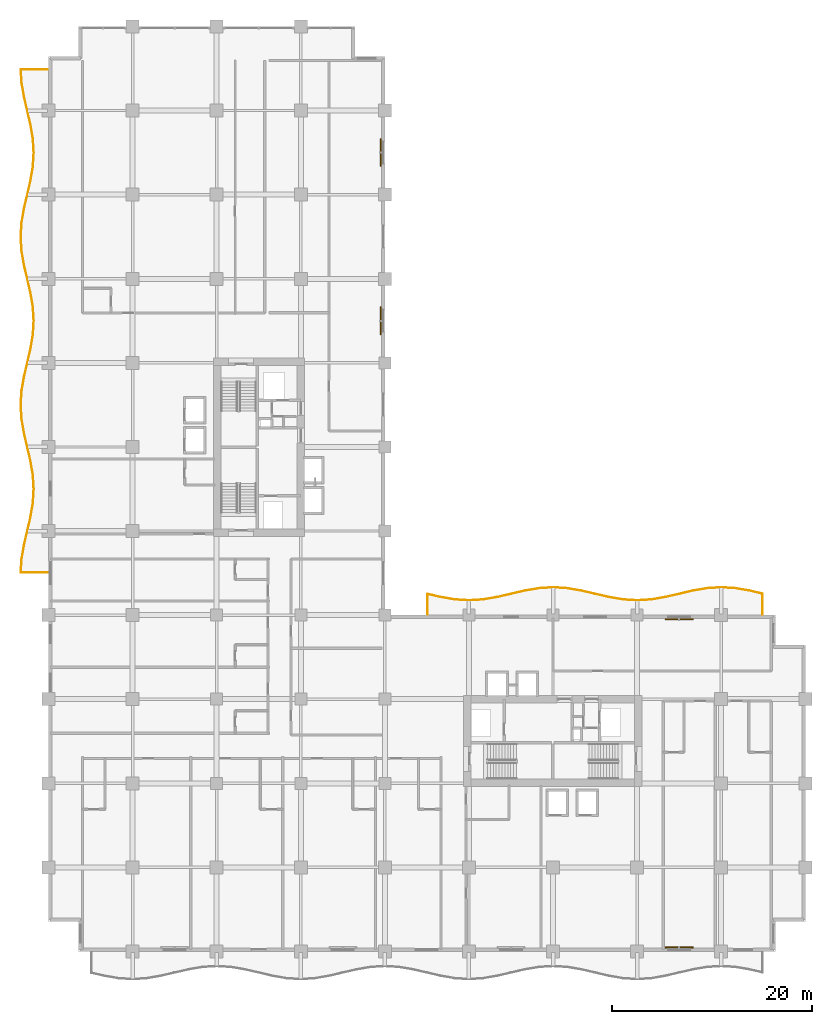
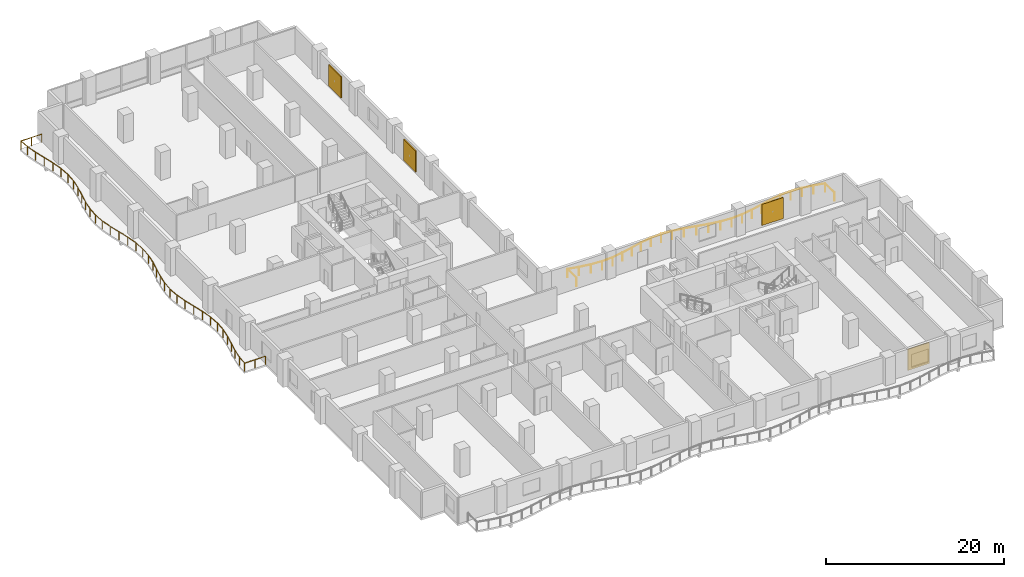
# One storey, part 21 of 21: 4 shading devices, 2 railings.
"""IFC4 building model written with IfcOpenShell, lengths in metres."""

from ifc_helpers import new_model, si_unit, direction, frame, origin, origin_2d, place, context, subcontext, project, spatial, rectangle, circle, extrude, material, layer, layer_set, type_object, element, save


model = new_model("IFC4")

# Units and contexts
model_context = context("Model", 3, precision=1e-05, world=origin(), true_north=direction((0.0, 1.0)))
body_context = subcontext(model_context, "Body", "Model", "MODEL_VIEW")
ifc_project = project(units=[si_unit("LENGTHUNIT", "METRE"), si_unit("AREAUNIT", "SQUARE_METRE"), si_unit("VOLUMEUNIT", "CUBIC_METRE"), si_unit("PLANEANGLEUNIT", "RADIAN"), si_unit("MASSUNIT", "GRAM", prefix="KILO")], contexts=[model_context])

# Site, building, storey
site_placement = place(None, origin())
site = spatial("IfcSite", under=ifc_project, at=site_placement, CompositionType="ELEMENT")
building_placement = place(site_placement, origin())
building = spatial("IfcBuilding", under=site, at=building_placement, Name="Koriwani Terraces Tower", CompositionType="ELEMENT")
storey_placement = place(building_placement, frame((0.0, 0.0, 111.39990234375)))
storey = spatial("IfcBuildingStorey", under=building, at=storey_placement, Name="L26", CompositionType="ELEMENT", Elevation=111.39990234375)

# Railings
ifc_material_1 = material(Name="Steel ASTM A572 Grade 50", Category="steel")
railing_type = type_object("IfcRailingType", Name="GUARD_BALUSTRADE_1150", PredefinedType="BALUSTRADE", material=ifc_material_1)
railing_1_placement = place(storey_placement, frame((-0.080078125, 37.8798828125, 0.0)))
element("IfcRailing", 1, at=railing_1_placement, inside=storey, type_object=railing_type, Name="L26 Balcony Perimeter Safety Balustrade (W)", PredefinedType="BALUSTRADE", context=body_context, shape_type="SweptSolid", body=[
    extrude(circle(Radius=0.02392578125, at=origin_2d()), frame((0.0, 0.0, 1.1259765625), z_axis=(-1.0, 0.0, 0.0), x_axis=(0.0, -1.0, 0.0)), (0.0, 0.0, 1.0), 2.684814453125),
    extrude(circle(Radius=0.02392578125, at=origin_2d()), frame((-2.684814453125, 0.0, 1.1259765625), z_axis=(0.062077435061, 0.998071336156, 0.0), x_axis=(-0.998071336156, 0.062077435061, 0.0)), (0.0, 0.0, 1.0), 1.3134765625),
    extrude(circle(Radius=0.02392578125, at=origin_2d()), frame((-2.603271484375, 1.31103515625, 1.1259765625), z_axis=(0.167563594016, 0.985861269125, 0.0), x_axis=(-0.985861269125, 0.167563594016, 0.0)), (0.0, 0.0, 1.0), 1.413330078125),
    extrude(circle(Radius=0.02392578125, at=origin_2d()), frame((-2.366455078125, 2.704345703125, 1.1259765625), z_axis=(0.226093729043, 0.974105551615, 0.0), x_axis=(-0.974105551615, 0.226093729043, 0.0)), (0.0, 0.0, 1.0), 2.87451171875),
    extrude(circle(Radius=0.02392578125, at=origin_2d()), frame((-1.716552734375, 5.50439453125, 1.1259765625), z_axis=(0.167533954852, 0.985866306337, 0.0), x_axis=(-0.985866306337, 0.167533954852, 0.0)), (0.0, 0.0, 1.0), 1.4267578125),
    extrude(circle(Radius=0.02392578125, at=origin_2d()), frame((-1.4775390625, 6.910888671875, 1.1259765625), z_axis=(0.061904605217, 0.9980820707, 0.0), x_axis=(-0.9980820707, 0.061904605217, 0.0)), (0.0, 0.0, 1.0), 1.411865234375),
    extrude(circle(Radius=0.02392578125, at=origin_2d()), frame((-1.39013671875, 8.320068359375, 1.1259765625), z_axis=(-0.061904605217, 0.9980820707, 0.0), x_axis=(-0.9980820707, -0.061904605217, 0.0)), (0.0, 0.0, 1.0), 1.411865234375),
    extrude(circle(Radius=0.02392578125, at=origin_2d()), frame((-1.4775390625, 9.729248046875, 1.1259765625), z_axis=(-0.167533954852, 0.985866306337, 0.0), x_axis=(-0.985866306337, -0.167533954852, 0.0)), (0.0, 0.0, 1.0), 1.4267578125),
    extrude(circle(Radius=0.02392578125, at=origin_2d()), frame((-1.716552734375, 11.1357421875, 1.1259765625), z_axis=(-0.226075024805, 0.974109892753, 0.0), x_axis=(-0.974109892753, -0.226075024805, 0.0)), (0.0, 0.0, 1.0), 2.874755859375),
    extrude(circle(Radius=0.02392578125, at=origin_2d()), frame((-2.366455078125, 13.93603515625, 1.1259765625), z_axis=(-0.167563594016, 0.985861269125, 0.0), x_axis=(-0.985861269125, -0.167563594016, 0.0)), (0.0, 0.0, 1.0), 1.413330078125),
    extrude(circle(Radius=0.02392578125, at=origin_2d()), frame((-2.603271484375, 15.329345703125, 1.1259765625), z_axis=(-0.062018352335, 0.998075009192, 0.0), x_axis=(-0.998075009192, -0.062018352335, 0.0)), (0.0, 0.0, 1.0), 1.3935546875),
    extrude(circle(Radius=0.02392578125, at=origin_2d()), frame((-2.689697265625, 16.72021484375, 1.1259765625), z_axis=(0.062029198499, 0.998074335174, 0.0), x_axis=(-0.998074335174, 0.062029198499, 0.0)), (0.0, 0.0, 1.0), 1.393310546875),
    extrude(circle(Radius=0.02392578125, at=origin_2d()), frame((-2.603271484375, 18.11083984375, 1.1259765625), z_axis=(0.167535062128, 0.985866118171, 0.0), x_axis=(-0.985866118171, 0.167535062128, 0.0)), (0.0, 0.0, 1.0), 1.41357421875),
    extrude(circle(Radius=0.02392578125, at=origin_2d()), frame((-2.366455078125, 19.50439453125, 1.1259765625), z_axis=(0.226093729043, 0.974105551615, 0.0), x_axis=(-0.974105551615, 0.226093729043, 0.0)), (0.0, 0.0, 1.0), 2.87451171875),
    extrude(circle(Radius=0.02392578125, at=origin_2d()), frame((-1.716552734375, 22.304443359375, 1.1259765625), z_axis=(0.167533954852, 0.985866306337, 0.0), x_axis=(-0.985866306337, 0.167533954852, 0.0)), (0.0, 0.0, 1.0), 1.4267578125),
    extrude(circle(Radius=0.02392578125, at=origin_2d()), frame((-1.4775390625, 23.7109375, 1.1259765625), z_axis=(0.061904605217, 0.9980820707, 0.0), x_axis=(-0.9980820707, 0.061904605217, 0.0)), (0.0, 0.0, 1.0), 1.411865234375),
    extrude(circle(Radius=0.02392578125, at=origin_2d()), frame((-1.39013671875, 25.1201171875, 1.1259765625), z_axis=(-0.061904605217, 0.9980820707, 0.0), x_axis=(-0.9980820707, -0.061904605217, 0.0)), (0.0, 0.0, 1.0), 1.411865234375),
    extrude(circle(Radius=0.02392578125, at=origin_2d()), frame((-1.4775390625, 26.529296875, 1.1259765625), z_axis=(-0.167533954852, 0.985866306337, 0.0), x_axis=(-0.985866306337, -0.167533954852, 0.0)), (0.0, 0.0, 1.0), 1.4267578125),
    extrude(circle(Radius=0.02392578125, at=origin_2d()), frame((-1.716552734375, 27.935791015625, 1.1259765625), z_axis=(-0.226093729043, 0.974105551615, 0.0), x_axis=(-0.974105551615, -0.226093729043, 0.0)), (0.0, 0.0, 1.0), 2.87451171875),
    extrude(circle(Radius=0.02392578125, at=origin_2d()), frame((-2.366455078125, 30.73583984375, 1.1259765625), z_axis=(-0.167535062128, 0.985866118171, 0.0), x_axis=(-0.985866118171, -0.167535062128, 0.0)), (0.0, 0.0, 1.0), 1.41357421875),
    extrude(circle(Radius=0.02392578125, at=origin_2d()), frame((-2.603271484375, 32.12939453125, 1.1259765625), z_axis=(-0.062029198499, 0.998074335174, 0.0), x_axis=(-0.998074335174, -0.062029198499, 0.0)), (0.0, 0.0, 1.0), 1.393310546875),
    extrude(circle(Radius=0.02392578125, at=origin_2d()), frame((-2.689697265625, 33.52001953125, 1.1259765625), z_axis=(0.062018352335, 0.998075009192, 0.0), x_axis=(-0.998075009192, 0.062018352335, 0.0)), (0.0, 0.0, 1.0), 1.3935546875),
    extrude(circle(Radius=0.02392578125, at=origin_2d()), frame((-2.603271484375, 34.910888671875, 1.1259765625), z_axis=(0.167563594016, 0.985861269125, 0.0), x_axis=(-0.985861269125, 0.167563594016, 0.0)), (0.0, 0.0, 1.0), 1.413330078125),
    extrude(circle(Radius=0.02392578125, at=origin_2d()), frame((-2.366455078125, 36.30419921875, 1.1259765625), z_axis=(0.226075024805, 0.974109892753, 0.0), x_axis=(-0.974109892753, 0.226075024805, 0.0)), (0.0, 0.0, 1.0), 2.874755859375),
    extrude(circle(Radius=0.02392578125, at=origin_2d()), frame((-1.716552734375, 39.1044921875, 1.1259765625), z_axis=(0.167533954852, 0.985866306337, 0.0), x_axis=(-0.985866306337, 0.167533954852, 0.0)), (0.0, 0.0, 1.0), 1.4267578125),
    extrude(circle(Radius=0.02392578125, at=origin_2d()), frame((-1.4775390625, 40.510986328125, 1.1259765625), z_axis=(0.061904605217, 0.9980820707, 0.0), x_axis=(-0.9980820707, 0.061904605217, 0.0)), (0.0, 0.0, 1.0), 1.411865234375),
    extrude(circle(Radius=0.02392578125, at=origin_2d()), frame((-1.39013671875, 41.920166015625, 1.1259765625), z_axis=(-0.061904605217, 0.9980820707, 0.0), x_axis=(-0.9980820707, -0.061904605217, 0.0)), (0.0, 0.0, 1.0), 1.411865234375),
    extrude(circle(Radius=0.02392578125, at=origin_2d()), frame((-1.4775390625, 43.329345703125, 1.1259765625), z_axis=(-0.167533954852, 0.985866306337, 0.0), x_axis=(-0.985866306337, -0.167533954852, 0.0)), (0.0, 0.0, 1.0), 1.4267578125),
    extrude(circle(Radius=0.02392578125, at=origin_2d()), frame((-1.716552734375, 44.73583984375, 1.1259765625), z_axis=(-0.226093729043, 0.974105551615, 0.0), x_axis=(-0.974105551615, -0.226093729043, 0.0)), (0.0, 0.0, 1.0), 2.87451171875),
    extrude(circle(Radius=0.02392578125, at=origin_2d()), frame((-2.366455078125, 47.535888671875, 1.1259765625), z_axis=(-0.167563594016, 0.985861269125, 0.0), x_axis=(-0.985861269125, -0.167563594016, 0.0)), (0.0, 0.0, 1.0), 1.413330078125),
    extrude(circle(Radius=0.02392578125, at=origin_2d()), frame((-2.603271484375, 48.92919921875, 1.1259765625), z_axis=(-0.062077435061, 0.998071336156, 0.0), x_axis=(-0.998071336156, -0.062077435061, 0.0)), (0.0, 0.0, 1.0), 1.3134765625),
    extrude(circle(Radius=0.02392578125, at=origin_2d()), frame((-2.684814453125, 50.240234375, 1.1259765625), z_axis=(1.0, 0.0, 0.0), x_axis=(0.0, 1.0, 0.0)), (0.0, 0.0, 1.0), 2.684814453125),
    extrude(circle(Radius=0.02099609375, at=origin_2d()), origin(), (0.0, 0.0, 1.0), 1.101806640625),
    extrude(circle(Radius=0.02099609375, at=origin_2d()), frame((-1.34228515625, 0.0, 0.0)), (0.0, 0.0, 1.0), 1.101806640625),
    extrude(circle(Radius=0.02099609375, at=origin_2d()), frame((-2.684814453125, 0.0, 0.0)), (0.0, 0.0, 1.0), 1.101806640625),
    extrude(circle(Radius=0.02099609375, at=origin_2d()), frame((-2.603271484375, 1.31103515625, 0.0)), (0.0, 0.0, 1.0), 1.101806640625),
    extrude(circle(Radius=0.02099609375, at=origin_2d()), frame((-2.366455078125, 2.704345703125, 0.0)), (0.0, 0.0, 1.0), 1.101806640625),
    extrude(circle(Radius=0.02099609375, at=origin_2d()), frame((-2.04150390625, 4.1044921875, 0.0)), (0.0, 0.0, 1.0), 1.101806640625),
    extrude(circle(Radius=0.02099609375, at=origin_2d()), frame((-1.716552734375, 5.50439453125, 0.0)), (0.0, 0.0, 1.0), 1.101806640625),
    extrude(circle(Radius=0.02099609375, at=origin_2d()), frame((-1.4775390625, 6.910888671875, 0.0)), (0.0, 0.0, 1.0), 1.101806640625),
    extrude(circle(Radius=0.02099609375, at=origin_2d()), frame((-1.39013671875, 8.320068359375, 0.0)), (0.0, 0.0, 1.0), 1.101806640625),
    extrude(circle(Radius=0.02099609375, at=origin_2d()), frame((-1.4775390625, 9.729248046875, 0.0)), (0.0, 0.0, 1.0), 1.101806640625),
    extrude(circle(Radius=0.02099609375, at=origin_2d()), frame((-1.716552734375, 11.1357421875, 0.0)), (0.0, 0.0, 1.0), 1.101806640625),
    extrude(circle(Radius=0.02099609375, at=origin_2d()), frame((-2.04150390625, 12.535888671875, 0.0)), (0.0, 0.0, 1.0), 1.101806640625),
    extrude(circle(Radius=0.02099609375, at=origin_2d()), frame((-2.366455078125, 13.93603515625, 0.0)), (0.0, 0.0, 1.0), 1.101806640625),
    extrude(circle(Radius=0.02099609375, at=origin_2d()), frame((-2.603271484375, 15.329345703125, 0.0)), (0.0, 0.0, 1.0), 1.101806640625),
    extrude(circle(Radius=0.02099609375, at=origin_2d()), frame((-2.689697265625, 16.72021484375, 0.0)), (0.0, 0.0, 1.0), 1.101806640625),
    extrude(circle(Radius=0.02099609375, at=origin_2d()), frame((-2.603271484375, 18.11083984375, 0.0)), (0.0, 0.0, 1.0), 1.101806640625),
    extrude(circle(Radius=0.02099609375, at=origin_2d()), frame((-2.366455078125, 19.50439453125, 0.0)), (0.0, 0.0, 1.0), 1.101806640625),
    extrude(circle(Radius=0.02099609375, at=origin_2d()), frame((-2.04150390625, 20.904296875, 0.0)), (0.0, 0.0, 1.0), 1.101806640625),
    extrude(circle(Radius=0.02099609375, at=origin_2d()), frame((-1.716552734375, 22.304443359375, 0.0)), (0.0, 0.0, 1.0), 1.101806640625),
    extrude(circle(Radius=0.02099609375, at=origin_2d()), frame((-1.4775390625, 23.7109375, 0.0)), (0.0, 0.0, 1.0), 1.101806640625),
    extrude(circle(Radius=0.02099609375, at=origin_2d()), frame((-1.39013671875, 25.1201171875, 0.0)), (0.0, 0.0, 1.0), 1.101806640625),
    extrude(circle(Radius=0.02099609375, at=origin_2d()), frame((-1.4775390625, 26.529296875, 0.0)), (0.0, 0.0, 1.0), 1.101806640625),
    extrude(circle(Radius=0.02099609375, at=origin_2d()), frame((-1.716552734375, 27.935791015625, 0.0)), (0.0, 0.0, 1.0), 1.101806640625),
    extrude(circle(Radius=0.02099609375, at=origin_2d()), frame((-2.04150390625, 29.3359375, 0.0)), (0.0, 0.0, 1.0), 1.101806640625),
    extrude(circle(Radius=0.02099609375, at=origin_2d()), frame((-2.366455078125, 30.73583984375, 0.0)), (0.0, 0.0, 1.0), 1.101806640625),
    extrude(circle(Radius=0.02099609375, at=origin_2d()), frame((-2.603271484375, 32.12939453125, 0.0)), (0.0, 0.0, 1.0), 1.101806640625),
    extrude(circle(Radius=0.02099609375, at=origin_2d()), frame((-2.689697265625, 33.52001953125, 0.0)), (0.0, 0.0, 1.0), 1.101806640625),
    extrude(circle(Radius=0.02099609375, at=origin_2d()), frame((-2.603271484375, 34.910888671875, 0.0)), (0.0, 0.0, 1.0), 1.101806640625),
    extrude(circle(Radius=0.02099609375, at=origin_2d()), frame((-2.366455078125, 36.30419921875, 0.0)), (0.0, 0.0, 1.0), 1.101806640625),
    extrude(circle(Radius=0.02099609375, at=origin_2d()), frame((-2.04150390625, 37.704345703125, 0.0)), (0.0, 0.0, 1.0), 1.101806640625),
    extrude(circle(Radius=0.02099609375, at=origin_2d()), frame((-1.716552734375, 39.1044921875, 0.0)), (0.0, 0.0, 1.0), 1.101806640625),
    extrude(circle(Radius=0.02099609375, at=origin_2d()), frame((-1.4775390625, 40.510986328125, 0.0)), (0.0, 0.0, 1.0), 1.101806640625),
    extrude(circle(Radius=0.02099609375, at=origin_2d()), frame((-1.39013671875, 41.920166015625, 0.0)), (0.0, 0.0, 1.0), 1.101806640625),
    extrude(circle(Radius=0.02099609375, at=origin_2d()), frame((-1.4775390625, 43.329345703125, 0.0)), (0.0, 0.0, 1.0), 1.101806640625),
    extrude(circle(Radius=0.02099609375, at=origin_2d()), frame((-1.716552734375, 44.73583984375, 0.0)), (0.0, 0.0, 1.0), 1.101806640625),
    extrude(circle(Radius=0.02099609375, at=origin_2d()), frame((-2.04150390625, 46.1357421875, 0.0)), (0.0, 0.0, 1.0), 1.101806640625),
    extrude(circle(Radius=0.02099609375, at=origin_2d()), frame((-2.366455078125, 47.535888671875, 0.0)), (0.0, 0.0, 1.0), 1.101806640625),
    extrude(circle(Radius=0.02099609375, at=origin_2d()), frame((-2.603271484375, 48.92919921875, 0.0)), (0.0, 0.0, 1.0), 1.101806640625),
    extrude(circle(Radius=0.02099609375, at=origin_2d()), frame((-2.684814453125, 50.240234375, 0.0)), (0.0, 0.0, 1.0), 1.101806640625),
    extrude(circle(Radius=0.02099609375, at=origin_2d()), frame((-1.34228515625, 50.240234375, 0.0)), (0.0, 0.0, 1.0), 1.101806640625),
    extrude(circle(Radius=0.02099609375, at=origin_2d()), frame((0.0, 50.240234375, 0.0)), (0.0, 0.0, 1.0), 1.101806640625),
])
railing_2_placement = place(storey_placement, frame((71.320068359375, 33.679931640625, 0.0)))
element("IfcRailing", 2, at=railing_2_placement, inside=storey, type_object=railing_type, Name="L26 Balcony Perimeter Safety Balustrade (NE)", PredefinedType="BALUSTRADE", context=body_context, shape_type="SweptSolid", body=[
    extrude(circle(Radius=0.02392578125, at=origin_2d()), frame((0.0, 0.0, 1.1259765625), z_axis=(0.0, 1.0, 0.0), x_axis=(-1.0, 0.0, 0.0)), (0.0, 0.0, 1.0), 2.056396484375),
    extrude(circle(Radius=0.02392578125, at=origin_2d()), frame((0.0, 2.056396484375, 1.1259765625), z_axis=(-0.974108402531, 0.226081445763, 0.0), x_axis=(-0.226081445763, -0.974108402531, 0.0)), (0.0, 0.0, 1.0), 1.371337890625),
    extrude(circle(Radius=0.02392578125, at=origin_2d()), frame((-1.3359375, 2.366455078125, 1.1259765625), z_axis=(-0.985861269125, 0.167563594016, 0.0), x_axis=(-0.167563594016, -0.985861269125, 0.0)), (0.0, 0.0, 1.0), 1.413330078125),
    extrude(circle(Radius=0.02392578125, at=origin_2d()), frame((-2.729248046875, 2.603271484375, 1.1259765625), z_axis=(-0.998064149781, 0.062192868733, 0.0), x_axis=(-0.062192868733, -0.998064149781, 0.0)), (0.0, 0.0, 1.0), 1.3935546875),
    extrude(circle(Radius=0.02392578125, at=origin_2d()), frame((-4.1201171875, 2.68994140625, 1.1259765625), z_axis=(-0.998064149781, -0.062192868733, 0.0), x_axis=(0.062192868733, -0.998064149781, 0.0)), (0.0, 0.0, 1.0), 1.3935546875),
    extrude(circle(Radius=0.02392578125, at=origin_2d()), frame((-5.510986328125, 2.603271484375, 1.1259765625), z_axis=(-0.985861269125, -0.167563594016, 0.0), x_axis=(0.167563594016, -0.985861269125, 0.0)), (0.0, 0.0, 1.0), 1.413330078125),
    extrude(circle(Radius=0.02392578125, at=origin_2d()), frame((-6.904296875, 2.366455078125, 1.1259765625), z_axis=(-0.974105551615, -0.226093729043, 0.0), x_axis=(0.226093729043, -0.974105551615, 0.0)), (0.0, 0.0, 1.0), 2.87451171875),
    extrude(circle(Radius=0.02392578125, at=origin_2d()), frame((-9.704345703125, 1.716552734375, 1.1259765625), z_axis=(-0.985894557597, -0.167367623213, 0.0), x_axis=(0.167367623213, -0.985894557597, 0.0)), (0.0, 0.0, 1.0), 1.426513671875),
    extrude(circle(Radius=0.02392578125, at=origin_2d()), frame((-11.11083984375, 1.477783203125, 1.1259765625), z_axis=(-0.9980820707, -0.061904605217, 0.0), x_axis=(0.061904605217, -0.9980820707, 0.0)), (0.0, 0.0, 1.0), 1.411865234375),
    extrude(circle(Radius=0.02392578125, at=origin_2d()), frame((-12.52001953125, 1.390380859375, 1.1259765625), z_axis=(-0.9980820707, 0.061904605217, 0.0), x_axis=(-0.061904605217, -0.9980820707, 0.0)), (0.0, 0.0, 1.0), 1.411865234375),
    extrude(circle(Radius=0.02392578125, at=origin_2d()), frame((-13.92919921875, 1.477783203125, 1.1259765625), z_axis=(-0.985894557597, 0.167367623213, 0.0), x_axis=(-0.167367623213, -0.985894557597, 0.0)), (0.0, 0.0, 1.0), 1.426513671875),
    extrude(circle(Radius=0.02392578125, at=origin_2d()), frame((-15.335693359375, 1.716552734375, 1.1259765625), z_axis=(-0.974109892753, 0.226075024805, 0.0), x_axis=(-0.226075024805, -0.974109892753, 0.0)), (0.0, 0.0, 1.0), 2.874755859375),
    extrude(circle(Radius=0.02392578125, at=origin_2d()), frame((-18.135986328125, 2.366455078125, 1.1259765625), z_axis=(-0.985861269125, 0.167563594016, 0.0), x_axis=(-0.167563594016, -0.985861269125, 0.0)), (0.0, 0.0, 1.0), 1.413330078125),
    extrude(circle(Radius=0.02392578125, at=origin_2d()), frame((-19.529296875, 2.603271484375, 1.1259765625), z_axis=(-0.998064149781, 0.062192868733, 0.0), x_axis=(-0.062192868733, -0.998064149781, 0.0)), (0.0, 0.0, 1.0), 1.3935546875),
    extrude(circle(Radius=0.02392578125, at=origin_2d()), frame((-20.920166015625, 2.68994140625, 1.1259765625), z_axis=(-0.998063471972, -0.062203745181, 0.0), x_axis=(0.062203745181, -0.998063471972, 0.0)), (0.0, 0.0, 1.0), 1.393310546875),
    extrude(circle(Radius=0.02392578125, at=origin_2d()), frame((-22.310791015625, 2.603271484375, 1.1259765625), z_axis=(-0.985866118171, -0.167535062128, 0.0), x_axis=(0.167535062128, -0.985866118171, 0.0)), (0.0, 0.0, 1.0), 1.41357421875),
    extrude(circle(Radius=0.02392578125, at=origin_2d()), frame((-23.704345703125, 2.366455078125, 1.1259765625), z_axis=(-0.974105551615, -0.226093729043, 0.0), x_axis=(0.226093729043, -0.974105551615, 0.0)), (0.0, 0.0, 1.0), 2.87451171875),
    extrude(circle(Radius=0.02392578125, at=origin_2d()), frame((-26.50439453125, 1.716552734375, 1.1259765625), z_axis=(-0.985894557597, -0.167367623213, 0.0), x_axis=(0.167367623213, -0.985894557597, 0.0)), (0.0, 0.0, 1.0), 1.426513671875),
    extrude(circle(Radius=0.02392578125, at=origin_2d()), frame((-27.910888671875, 1.477783203125, 1.1259765625), z_axis=(-0.9980820707, -0.061904605217, 0.0), x_axis=(0.061904605217, -0.9980820707, 0.0)), (0.0, 0.0, 1.0), 1.411865234375),
    extrude(circle(Radius=0.02392578125, at=origin_2d()), frame((-29.320068359375, 1.390380859375, 1.1259765625), z_axis=(-0.9980820707, 0.061904605217, 0.0), x_axis=(-0.061904605217, -0.9980820707, 0.0)), (0.0, 0.0, 1.0), 1.411865234375),
    extrude(circle(Radius=0.02392578125, at=origin_2d()), frame((-30.729248046875, 1.477783203125, 1.1259765625), z_axis=(-0.985894557597, 0.167367623213, 0.0), x_axis=(-0.167367623213, -0.985894557597, 0.0)), (0.0, 0.0, 1.0), 1.426513671875),
    extrude(circle(Radius=0.02392578125, at=origin_2d()), frame((-32.1357421875, 1.716552734375, 1.1259765625), z_axis=(-0.974110823857, 0.226071012836, 0.0), x_axis=(-0.226071012836, -0.974110823857, 0.0)), (0.0, 0.0, 1.0), 1.339111328125),
    extrude(circle(Radius=0.02392578125, at=origin_2d()), frame((-33.440185546875, 2.019287109375, 1.1259765625), z_axis=(0.0, -1.0, 0.0), x_axis=(1.0, 0.0, 0.0)), (0.0, 0.0, 1.0), 2.019287109375),
    extrude(circle(Radius=0.02099609375, at=origin_2d()), origin(), (0.0, 0.0, 1.0), 1.101806640625),
    extrude(circle(Radius=0.02099609375, at=origin_2d()), frame((0.0, 2.056396484375, 0.0)), (0.0, 0.0, 1.0), 1.101806640625),
    extrude(circle(Radius=0.02099609375, at=origin_2d()), frame((-1.3359375, 2.366455078125, 0.0)), (0.0, 0.0, 1.0), 1.101806640625),
    extrude(circle(Radius=0.02099609375, at=origin_2d()), frame((-2.729248046875, 2.603271484375, 0.0)), (0.0, 0.0, 1.0), 1.101806640625),
    extrude(circle(Radius=0.02099609375, at=origin_2d()), frame((-4.1201171875, 2.68994140625, 0.0)), (0.0, 0.0, 1.0), 1.101806640625),
    extrude(circle(Radius=0.02099609375, at=origin_2d()), frame((-5.510986328125, 2.603271484375, 0.0)), (0.0, 0.0, 1.0), 1.101806640625),
    extrude(circle(Radius=0.02099609375, at=origin_2d()), frame((-6.904296875, 2.366455078125, 0.0)), (0.0, 0.0, 1.0), 1.101806640625),
    extrude(circle(Radius=0.02099609375, at=origin_2d()), frame((-8.30419921875, 2.04150390625, 0.0)), (0.0, 0.0, 1.0), 1.101806640625),
    extrude(circle(Radius=0.02099609375, at=origin_2d()), frame((-9.704345703125, 1.716552734375, 0.0)), (0.0, 0.0, 1.0), 1.101806640625),
    extrude(circle(Radius=0.02099609375, at=origin_2d()), frame((-11.11083984375, 1.477783203125, 0.0)), (0.0, 0.0, 1.0), 1.101806640625),
    extrude(circle(Radius=0.02099609375, at=origin_2d()), frame((-12.52001953125, 1.390380859375, 0.0)), (0.0, 0.0, 1.0), 1.101806640625),
    extrude(circle(Radius=0.02099609375, at=origin_2d()), frame((-13.92919921875, 1.477783203125, 0.0)), (0.0, 0.0, 1.0), 1.101806640625),
    extrude(circle(Radius=0.02099609375, at=origin_2d()), frame((-15.335693359375, 1.716552734375, 0.0)), (0.0, 0.0, 1.0), 1.101806640625),
    extrude(circle(Radius=0.02099609375, at=origin_2d()), frame((-16.73583984375, 2.04150390625, 0.0)), (0.0, 0.0, 1.0), 1.101806640625),
    extrude(circle(Radius=0.02099609375, at=origin_2d()), frame((-18.135986328125, 2.366455078125, 0.0)), (0.0, 0.0, 1.0), 1.101806640625),
    extrude(circle(Radius=0.02099609375, at=origin_2d()), frame((-19.529296875, 2.603271484375, 0.0)), (0.0, 0.0, 1.0), 1.101806640625),
    extrude(circle(Radius=0.02099609375, at=origin_2d()), frame((-20.920166015625, 2.68994140625, 0.0)), (0.0, 0.0, 1.0), 1.101806640625),
    extrude(circle(Radius=0.02099609375, at=origin_2d()), frame((-22.310791015625, 2.603271484375, 0.0)), (0.0, 0.0, 1.0), 1.101806640625),
    extrude(circle(Radius=0.02099609375, at=origin_2d()), frame((-23.704345703125, 2.366455078125, 0.0)), (0.0, 0.0, 1.0), 1.101806640625),
    extrude(circle(Radius=0.02099609375, at=origin_2d()), frame((-25.1044921875, 2.04150390625, 0.0)), (0.0, 0.0, 1.0), 1.101806640625),
    extrude(circle(Radius=0.02099609375, at=origin_2d()), frame((-26.50439453125, 1.716552734375, 0.0)), (0.0, 0.0, 1.0), 1.101806640625),
    extrude(circle(Radius=0.02099609375, at=origin_2d()), frame((-27.910888671875, 1.477783203125, 0.0)), (0.0, 0.0, 1.0), 1.101806640625),
    extrude(circle(Radius=0.02099609375, at=origin_2d()), frame((-29.320068359375, 1.390380859375, 0.0)), (0.0, 0.0, 1.0), 1.101806640625),
    extrude(circle(Radius=0.02099609375, at=origin_2d()), frame((-30.729248046875, 1.477783203125, 0.0)), (0.0, 0.0, 1.0), 1.101806640625),
    extrude(circle(Radius=0.02099609375, at=origin_2d()), frame((-32.1357421875, 1.716552734375, 0.0)), (0.0, 0.0, 1.0), 1.101806640625),
    extrude(circle(Radius=0.02099609375, at=origin_2d()), frame((-33.440185546875, 2.019287109375, 0.0)), (0.0, 0.0, 1.0), 1.101806640625),
    extrude(circle(Radius=0.02099609375, at=origin_2d()), frame((-33.440185546875, 0.0, 0.0)), (0.0, 0.0, 1.0), 1.101806640625),
])

# Shading devices
ifc_material_2 = material(Name="Extruded Terracotta Clay", Category="masonry")
ifc_layer = layer(ifc_material_2, 0.1201171875, Name="Extruded Terracotta Clay")
ifc_layer_set = layer_set([ifc_layer], Name="Extruded Terracotta Clay")
shading_device_type = type_object("IfcShadingDeviceType", Name="TERRACOTTA_BAGUETTE_SCREEN_2800", PredefinedType="USERDEFINED", material=ifc_layer_set)
for number, where, z_axis, x_axis, name in (
    (3, (33.195068359375, 63.0, 0.3251953125), (0.0, 0.0, 1.0), (0.0, -1.0, 0.0), "L26 Extruded Terracotta Baguette Screen (NW_IN-11)"),
    (4, (33.195068359375, 79.800048828125, 0.3251953125), (0.0, 0.0, 1.0), (0.0, -1.0, 0.0), "L26 Extruded Terracotta Baguette Screen (NW_IN-17)"),
    (5, (63.0, 33.195068359375, 0.3251953125), (0.0, 0.0, 1.0), (1.0, 0.0, 0.0), "L26 Extruded Terracotta Baguette Screen (NE-11)"),
    (6, (63.0, 0.405029296875, 0.3251953125), (0.0, 0.0, 1.0), (-1.0, 0.0, 0.0), "L26 Extruded Terracotta Baguette Screen (S-21)"),
):
    element("IfcShadingDevice", number, at=place(storey_placement, frame(where, z_axis=z_axis, x_axis=x_axis)), inside=storey, type_object=shading_device_type, Name=name, ObjectType="BAGUETTE", PredefinedType="USERDEFINED", context=body_context, shape_type="SweptSolid", body=[
        extrude(rectangle(XDim=2.760009765625, YDim=0.1201171875, at=origin_2d()), origin(), (0.0, 0.0, 1.0), 2.89990234375),
    ])

save(model, "model.ifc")
